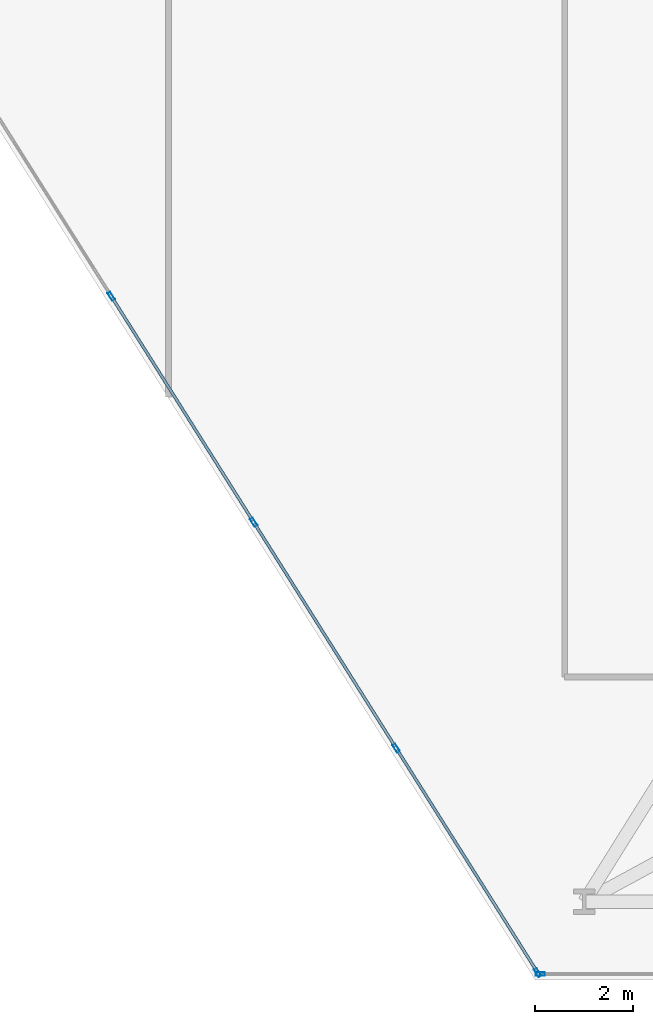
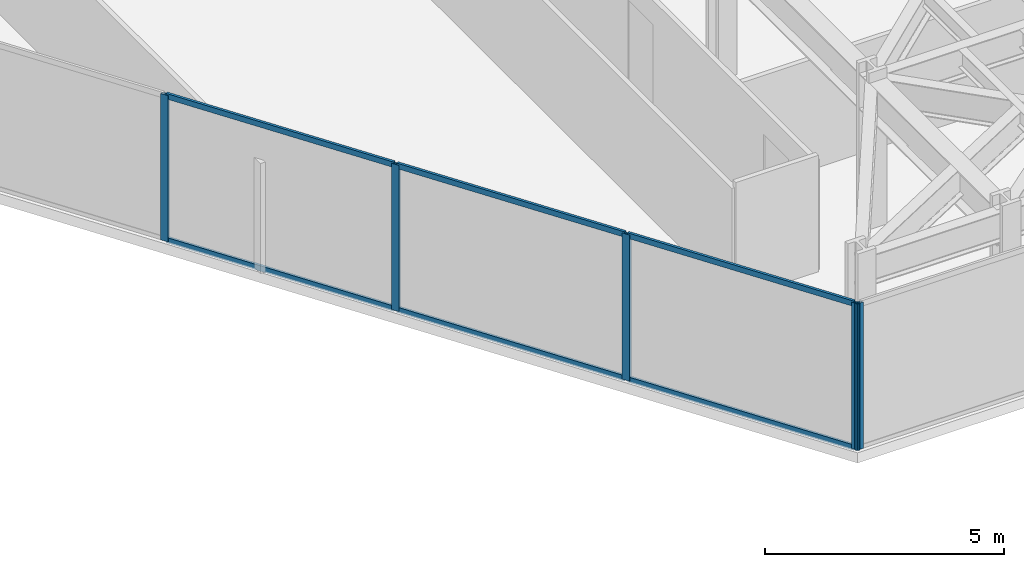
# One storey, part 12 of 25: 11 members, 2 elements without a shape of their own.
"""IFC4 building model written with IfcOpenShell, lengths in metres."""

from ifc_helpers import new_model, si_unit, direction, frame, origin, origin_2d, place, context, subcontext, project, spatial, hollow_rectangle, extrude, material, layer, layer_set, material_profile, profile_set, type_object, element, aggregate, save


model = new_model("IFC4")

# Units and contexts
model_context = context("Model", 3, precision=1e-05, world=origin(), true_north=direction((0.0, 1.0)))
body_context = subcontext(model_context, "Body", "Model", "MODEL_VIEW")
ifc_project = project(units=[si_unit("LENGTHUNIT", "METRE"), si_unit("AREAUNIT", "SQUARE_METRE"), si_unit("VOLUMEUNIT", "CUBIC_METRE"), si_unit("PLANEANGLEUNIT", "RADIAN"), si_unit("MASSUNIT", "GRAM", prefix="KILO")], contexts=[model_context])

# Site, building, storey
site_placement = place(None, origin())
site = spatial("IfcSite", under=ifc_project, at=site_placement, CompositionType="ELEMENT")
building_placement = place(site_placement, origin())
building = spatial("IfcBuilding", under=site, at=building_placement, Name="Kravanh Interchange Tower", CompositionType="ELEMENT")
storey_placement = place(building_placement, frame((0.0, 0.0, 41.5)))
storey = spatial("IfcBuildingStorey", under=building, at=storey_placement, Name="L09", CompositionType="ELEMENT", Elevation=41.5)

# Curtain wall, member
ifc_material_1 = material(Name="Anodised Bronze Aluminium", Category="aluminium")
ifc_layer = layer(ifc_material_1, 0.179931640625)
ifc_layer_set = layer_set([ifc_layer], Name="Unitised Curtain Wall System CW-Z1 Lower Office")
curtain_wall_type = type_object("IfcCurtainWallType", Name="Unitised Curtain Wall System CW-Z1 Lower Office", PredefinedType="NOTDEFINED", material=ifc_layer_set)
curtain_wall_1_placement = place(storey_placement, origin())
curtain_wall_1 = element("IfcCurtainWall", 1, at=curtain_wall_1_placement, inside=storey, type_object=curtain_wall_type, Name="L09 Unitised Curtain Wall CW-L09-03", PredefinedType="NOTDEFINED")
ifc_material_2 = material(Name="Anodised Bronze Aluminium", Category="aluminium")
ifc_material_profile_1 = material_profile(ifc_material_2, hollow_rectangle(XDim=0.070068359375, YDim=0.179931640625, WallThickness=0.00390625, at=origin_2d()), Name="ALU70X180X4")
ifc_profile_set_1 = profile_set([ifc_material_profile_1], Name="Anodised Bronze Aluminium")
member_type_1 = type_object("IfcMemberType", Name="Curtain Wall Mullion ALU70X180X4 Bronze", PredefinedType="MULLION", material=ifc_profile_set_1)
member_1_placement = place(storey_placement, frame((51.601318359375, 1.1201171875, 0.0), z_axis=(0.0, 0.0, 1.0), x_axis=(0.0, -1.0, 0.0)))
member_1 = element("IfcMember", 2, at=member_1_placement, type_object=member_type_1, Name="CW-Z1 mullion 3", PredefinedType="MULLION", context=body_context, shape_type="SweptSolid", body=[
    extrude(hollow_rectangle(XDim=0.070068359375, YDim=0.179931640625, WallThickness=0.00390625, at=origin_2d()), origin(), (0.0, 0.0, 1.0), 3.739990234375),
])
aggregate(curtain_wall_1, [member_1])

# Curtain wall, members
curtain_wall_2_placement = place(storey_placement, origin())
curtain_wall_2 = element("IfcCurtainWall", 3, at=curtain_wall_2_placement, inside=storey, type_object=curtain_wall_type, Name="L09 Unitised Curtain Wall CW-L09-04", PredefinedType="NOTDEFINED")
member_2_placement = place(storey_placement, frame((51.547607421875, 1.149658203125, 0.0), z_axis=(0.0, 0.0, 1.0), x_axis=(-0.845925530786, -0.53330103728, 0.0)))
member_2 = element("IfcMember", 4, at=member_2_placement, type_object=member_type_1, Name="CW-Z1 mullion 1", PredefinedType="MULLION", context=body_context, shape_type="SweptSolid", body=[
    extrude(hollow_rectangle(XDim=0.070068359375, YDim=0.179931640625, WallThickness=0.00390625, at=origin_2d()), origin(), (0.0, 0.0, 1.0), 3.739990234375),
])
member_3_placement = place(storey_placement, frame((48.653076171875, 5.740966796875, 0.0), z_axis=(0.0, 0.0, 1.0), x_axis=(-0.845925530786, -0.53330103728, 0.0)))
member_3 = element("IfcMember", 5, at=member_3_placement, type_object=member_type_1, Name="CW-Z1 mullion 2", PredefinedType="MULLION", context=body_context, shape_type="SweptSolid", body=[
    extrude(hollow_rectangle(XDim=0.070068359375, YDim=0.179931640625, WallThickness=0.00390625, at=origin_2d()), origin(), (0.0, 0.0, 1.0), 3.739990234375),
])
member_4_placement = place(storey_placement, frame((45.73974609375, 10.362060546875, 0.0), z_axis=(0.0, 0.0, 1.0), x_axis=(-0.845925530786, -0.53330103728, 0.0)))
member_4 = element("IfcMember", 6, at=member_4_placement, type_object=member_type_1, Name="CW-Z1 mullion 3", PredefinedType="MULLION", context=body_context, shape_type="SweptSolid", body=[
    extrude(hollow_rectangle(XDim=0.070068359375, YDim=0.179931640625, WallThickness=0.00390625, at=origin_2d()), origin(), (0.0, 0.0, 1.0), 3.739990234375),
])
member_5_placement = place(storey_placement, frame((42.826416015625, 14.98291015625, 0.0), z_axis=(0.0, 0.0, 1.0), x_axis=(-0.845925530786, -0.53330103728, 0.0)))
member_5 = element("IfcMember", 7, at=member_5_placement, type_object=member_type_1, Name="CW-Z1 mullion 4", PredefinedType="MULLION", context=body_context, shape_type="SweptSolid", body=[
    extrude(hollow_rectangle(XDim=0.070068359375, YDim=0.179931640625, WallThickness=0.00390625, at=origin_2d()), origin(), (0.0, 0.0, 1.0), 3.739990234375),
])
ifc_material_3 = material(Name="Anodised Bronze Aluminium", Category="aluminium")
ifc_material_profile_2 = material_profile(ifc_material_3, hollow_rectangle(XDim=0.06005859375, YDim=0.139892578125, WallThickness=0.00390625, at=origin_2d()), Name="ALU60X140X4")
ifc_profile_set_2 = profile_set([ifc_material_profile_2], Name="Anodised Bronze Aluminium")
member_type_2 = type_object("IfcMemberType", Name="Curtain Wall Transom ALU60X140X4 Bronze", PredefinedType="USERDEFINED", material=ifc_profile_set_2)
member_6_placement = place(storey_placement, frame((51.52880859375, 1.17919921875, 0.030029296875), z_axis=(-0.533288163518, 0.845933646719, 0.0), x_axis=(-0.845933646719, -0.533288163518, 0.0)))
member_6 = element("IfcMember", 8, at=member_6_placement, type_object=member_type_2, Name="CW-Z1 transom 1.1", ObjectType="TRANSOM", PredefinedType="USERDEFINED", context=body_context, shape_type="SweptSolid", body=[
    extrude(hollow_rectangle(XDim=0.06005859375, YDim=0.139892578125, WallThickness=0.00390625, at=origin_2d()), origin(), (0.0, 0.0, 1.0), 5.357666015625),
])
member_7_placement = place(storey_placement, frame((51.52880859375, 1.17919921875, 3.7099609375), z_axis=(-0.533288163518, 0.845933646719, 0.0), x_axis=(-0.845933646719, -0.533288163518, 0.0)))
member_7 = element("IfcMember", 9, at=member_7_placement, type_object=member_type_2, Name="CW-Z1 transom 1.2", ObjectType="TRANSOM", PredefinedType="USERDEFINED", context=body_context, shape_type="SweptSolid", body=[
    extrude(hollow_rectangle(XDim=0.06005859375, YDim=0.139892578125, WallThickness=0.00390625, at=origin_2d()), origin(), (0.0, 0.0, 1.0), 5.357666015625),
])
member_8_placement = place(storey_placement, frame((48.63427734375, 5.7705078125, 0.030029296875), z_axis=(-0.533311487456, 0.84591894254, 0.0), x_axis=(-0.84591894254, -0.533311487456, 0.0)))
member_8 = element("IfcMember", 10, at=member_8_placement, type_object=member_type_2, Name="CW-Z1 transom 2.1", ObjectType="TRANSOM", PredefinedType="USERDEFINED", context=body_context, shape_type="SweptSolid", body=[
    extrude(hollow_rectangle(XDim=0.06005859375, YDim=0.139892578125, WallThickness=0.00390625, at=origin_2d()), origin(), (0.0, 0.0, 1.0), 5.392578125),
])
member_9_placement = place(storey_placement, frame((48.63427734375, 5.7705078125, 3.7099609375), z_axis=(-0.533311487456, 0.84591894254, 0.0), x_axis=(-0.84591894254, -0.533311487456, 0.0)))
member_9 = element("IfcMember", 11, at=member_9_placement, type_object=member_type_2, Name="CW-Z1 transom 2.2", ObjectType="TRANSOM", PredefinedType="USERDEFINED", context=body_context, shape_type="SweptSolid", body=[
    extrude(hollow_rectangle(XDim=0.06005859375, YDim=0.139892578125, WallThickness=0.00390625, at=origin_2d()), origin(), (0.0, 0.0, 1.0), 5.392578125),
])
member_10_placement = place(storey_placement, frame((45.720947265625, 10.3916015625, 0.030029296875), z_axis=(-0.533279090152, 0.845939366626, 0.0), x_axis=(-0.845939366626, -0.533279090152, 0.0)))
member_10 = element("IfcMember", 12, at=member_10_placement, type_object=member_type_2, Name="CW-Z1 transom 3.1", ObjectType="TRANSOM", PredefinedType="USERDEFINED", context=body_context, shape_type="SweptSolid", body=[
    extrude(hollow_rectangle(XDim=0.06005859375, YDim=0.139892578125, WallThickness=0.00390625, at=origin_2d()), origin(), (0.0, 0.0, 1.0), 5.392578125),
])
member_11_placement = place(storey_placement, frame((45.720947265625, 10.3916015625, 3.7099609375), z_axis=(-0.533279090152, 0.845939366626, 0.0), x_axis=(-0.845939366626, -0.533279090152, 0.0)))
member_11 = element("IfcMember", 13, at=member_11_placement, type_object=member_type_2, Name="CW-Z1 transom 3.2", ObjectType="TRANSOM", PredefinedType="USERDEFINED", context=body_context, shape_type="SweptSolid", body=[
    extrude(hollow_rectangle(XDim=0.06005859375, YDim=0.139892578125, WallThickness=0.00390625, at=origin_2d()), origin(), (0.0, 0.0, 1.0), 5.392578125),
])
aggregate(curtain_wall_2, [member_2, member_3, member_4, member_5, member_6, member_7, member_8, member_9, member_10, member_11])

save(model, "model.ifc")
